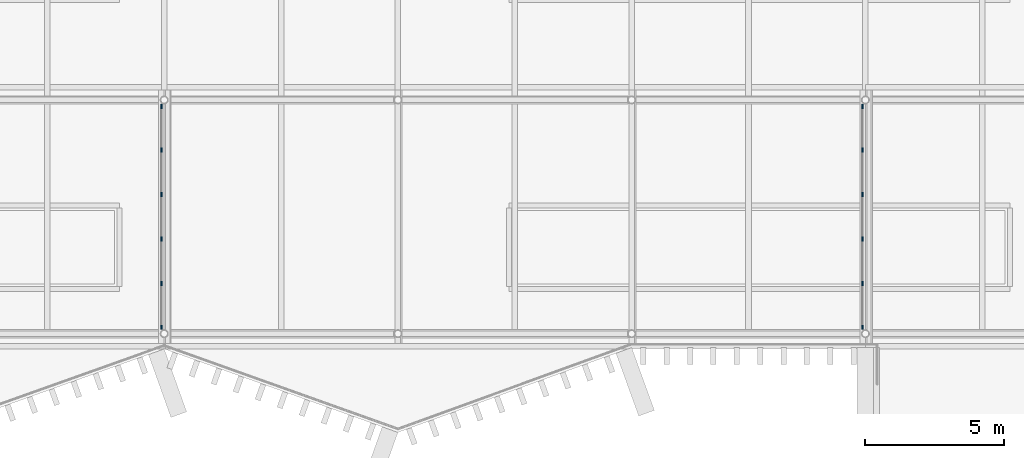
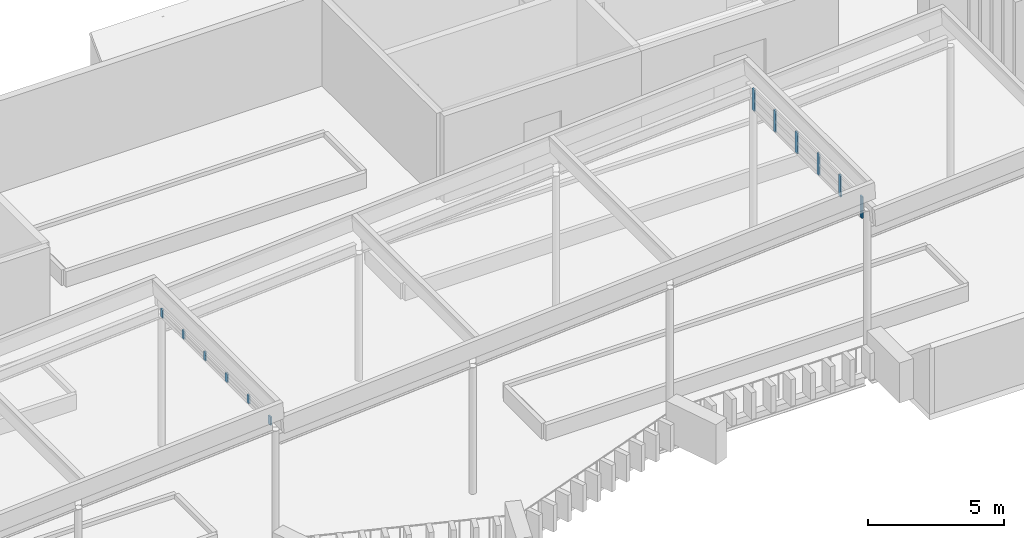
# One storey, part 26 of 51: 12 members, 2 elements without a shape of their own.
"""IFC4 building model written with IfcOpenShell, lengths in metres."""

from ifc_helpers import new_model, si_unit, direction, frame, origin, origin_2d, place, context, subcontext, project, spatial, rectangle, extrude, material, layer, layer_set, material_profile, profile_set, type_object, element, aggregate, save


model = new_model("IFC4")

# Units and contexts
model_context = context("Model", 3, precision=1e-05, world=origin(), true_north=direction((0.0, 1.0)))
body_context = subcontext(model_context, "Body", "Model", "MODEL_VIEW")
ifc_project = project(units=[si_unit("LENGTHUNIT", "METRE"), si_unit("AREAUNIT", "SQUARE_METRE"), si_unit("VOLUMEUNIT", "CUBIC_METRE"), si_unit("PLANEANGLEUNIT", "RADIAN"), si_unit("MASSUNIT", "GRAM", prefix="KILO")], contexts=[model_context])

# Site, building, storey
site_placement = place(None, origin())
site = spatial("IfcSite", under=ifc_project, at=site_placement, CompositionType="ELEMENT")
building_placement = place(site_placement, origin())
building = spatial("IfcBuilding", under=site, at=building_placement, Name="Cresset Court Congress Hotel", CompositionType="ELEMENT")
storey_placement = place(building_placement, frame((0.0, 0.0, 18.60009765625)))
storey = spatial("IfcBuildingStorey", under=building, at=storey_placement, Name="L04", CompositionType="ELEMENT", Elevation=18.60009765625)

# Curtain wall, members
ifc_material_1 = material(Name="Aluminium frame with double glazing", Category="aluminium")
ifc_layer = layer(ifc_material_1, 0.199951171875)
ifc_layer_set = layer_set([ifc_layer], Name="Glazed box curtain wall 1680 module")
curtain_wall_type = type_object("IfcCurtainWallType", Name="Glazed box curtain wall 1680 module", PredefinedType="NOTDEFINED", material=ifc_layer_set)
curtain_wall_1_placement = place(storey_placement, origin())
curtain_wall_1 = element("IfcCurtainWall", 1, at=curtain_wall_1_placement, inside=storey, type_object=curtain_wall_type, Name="Roof light face 4", PredefinedType="NOTDEFINED")
ifc_material_2 = material(Name="Aluminium", Category="aluminium")
ifc_material_profile = material_profile(ifc_material_2, rectangle(XDim=0.06005859375, YDim=0.159912109375, at=origin_2d()), Name="Box mullion 60x160")
ifc_profile_set = profile_set([ifc_material_profile], Name="Aluminium")
member_type = type_object("IfcMemberType", Name="Box mullion 60x160", PredefinedType="MULLION", material=ifc_profile_set)
member_1_placement = place(storey_placement, frame((117.5, 0.22998046875, 5.89990234375), z_axis=(0.0, 0.0, 1.0), x_axis=(-1.0, 0.0, 0.0)))
member_1 = element("IfcMember", 2, at=member_1_placement, type_object=member_type, Name="B-X1 mullion 1", PredefinedType="MULLION", context=body_context, shape_type="SweptSolid", body=[
    extrude(rectangle(XDim=0.06005859375, YDim=0.159912109375, at=origin_2d()), origin(), (0.0, 0.0, 1.0), 0.3759765625),
])
member_2_placement = place(storey_placement, frame((117.5, 1.800048828125, 5.89990234375), z_axis=(0.0, 0.0, 1.0), x_axis=(-1.0, 0.0, 0.0)))
member_2 = element("IfcMember", 3, at=member_2_placement, type_object=member_type, Name="B-X1 mullion 2", PredefinedType="MULLION", context=body_context, shape_type="SweptSolid", body=[
    extrude(rectangle(XDim=0.06005859375, YDim=0.159912109375, at=origin_2d()), origin(), (0.0, 0.0, 1.0), 0.3759765625),
])
member_3_placement = place(storey_placement, frame((117.5, 3.39990234375, 5.89990234375), z_axis=(0.0, 0.0, 1.0), x_axis=(-1.0, 0.0, 0.0)))
member_3 = element("IfcMember", 4, at=member_3_placement, type_object=member_type, Name="B-X1 mullion 3", PredefinedType="MULLION", context=body_context, shape_type="SweptSolid", body=[
    extrude(rectangle(XDim=0.06005859375, YDim=0.159912109375, at=origin_2d()), origin(), (0.0, 0.0, 1.0), 0.3759765625),
])
member_4_placement = place(storey_placement, frame((117.5, 5.0, 5.89990234375), z_axis=(0.0, 0.0, 1.0), x_axis=(-1.0, 0.0, 0.0)))
member_4 = element("IfcMember", 5, at=member_4_placement, type_object=member_type, Name="B-X1 mullion 4", PredefinedType="MULLION", context=body_context, shape_type="SweptSolid", body=[
    extrude(rectangle(XDim=0.06005859375, YDim=0.159912109375, at=origin_2d()), origin(), (0.0, 0.0, 1.0), 0.3759765625),
])
member_5_placement = place(storey_placement, frame((117.5, 6.60009765625, 5.89990234375), z_axis=(0.0, 0.0, 1.0), x_axis=(-1.0, 0.0, 0.0)))
member_5 = element("IfcMember", 6, at=member_5_placement, type_object=member_type, Name="B-X1 mullion 5", PredefinedType="MULLION", context=body_context, shape_type="SweptSolid", body=[
    extrude(rectangle(XDim=0.06005859375, YDim=0.159912109375, at=origin_2d()), origin(), (0.0, 0.0, 1.0), 0.3759765625),
])
member_6_placement = place(storey_placement, frame((117.5, 8.169921875, 5.89990234375), z_axis=(0.0, 0.0, 1.0), x_axis=(-1.0, 0.0, 0.0)))
member_6 = element("IfcMember", 7, at=member_6_placement, type_object=member_type, Name="B-X1 mullion 6", PredefinedType="MULLION", context=body_context, shape_type="SweptSolid", body=[
    extrude(rectangle(XDim=0.06005859375, YDim=0.159912109375, at=origin_2d()), origin(), (0.0, 0.0, 1.0), 0.3759765625),
])
aggregate(curtain_wall_1, [member_1, member_2, member_3, member_4, member_5, member_6])

curtain_wall_2_placement = place(storey_placement, origin())
curtain_wall_2 = element("IfcCurtainWall", 8, at=curtain_wall_2_placement, inside=storey, type_object=curtain_wall_type, Name="Roof light face 5", PredefinedType="NOTDEFINED")
member_7_placement = place(storey_placement, frame((142.699951171875, 0.22998046875, 6.39990234375), z_axis=(0.0, 0.0, 1.0), x_axis=(-1.0, 0.0, 0.0)))
member_7 = element("IfcMember", 9, at=member_7_placement, type_object=member_type, Name="B-X1 mullion 1", PredefinedType="MULLION", context=body_context, shape_type="SweptSolid", body=[
    extrude(rectangle(XDim=0.06005859375, YDim=0.159912109375, at=origin_2d()), origin(), (0.0, 0.0, 1.0), 0.964111328125),
])
member_8_placement = place(storey_placement, frame((142.699951171875, 1.800048828125, 6.39990234375), z_axis=(0.0, 0.0, 1.0), x_axis=(-1.0, 0.0, 0.0)))
member_8 = element("IfcMember", 10, at=member_8_placement, type_object=member_type, Name="B-X1 mullion 2", PredefinedType="MULLION", context=body_context, shape_type="SweptSolid", body=[
    extrude(rectangle(XDim=0.06005859375, YDim=0.159912109375, at=origin_2d()), origin(), (0.0, 0.0, 1.0), 0.964111328125),
])
member_9_placement = place(storey_placement, frame((142.699951171875, 3.39990234375, 6.39990234375), z_axis=(0.0, 0.0, 1.0), x_axis=(-1.0, 0.0, 0.0)))
member_9 = element("IfcMember", 11, at=member_9_placement, type_object=member_type, Name="B-X1 mullion 3", PredefinedType="MULLION", context=body_context, shape_type="SweptSolid", body=[
    extrude(rectangle(XDim=0.06005859375, YDim=0.159912109375, at=origin_2d()), origin(), (0.0, 0.0, 1.0), 0.964111328125),
])
member_10_placement = place(storey_placement, frame((142.699951171875, 5.0, 6.39990234375), z_axis=(0.0, 0.0, 1.0), x_axis=(-1.0, 0.0, 0.0)))
member_10 = element("IfcMember", 12, at=member_10_placement, type_object=member_type, Name="B-X1 mullion 4", PredefinedType="MULLION", context=body_context, shape_type="SweptSolid", body=[
    extrude(rectangle(XDim=0.06005859375, YDim=0.159912109375, at=origin_2d()), origin(), (0.0, 0.0, 1.0), 0.964111328125),
])
member_11_placement = place(storey_placement, frame((142.699951171875, 6.60009765625, 6.39990234375), z_axis=(0.0, 0.0, 1.0), x_axis=(-1.0, 0.0, 0.0)))
member_11 = element("IfcMember", 13, at=member_11_placement, type_object=member_type, Name="B-X1 mullion 5", PredefinedType="MULLION", context=body_context, shape_type="SweptSolid", body=[
    extrude(rectangle(XDim=0.06005859375, YDim=0.159912109375, at=origin_2d()), origin(), (0.0, 0.0, 1.0), 0.964111328125),
])
member_12_placement = place(storey_placement, frame((142.699951171875, 8.169921875, 6.39990234375), z_axis=(0.0, 0.0, 1.0), x_axis=(-1.0, 0.0, 0.0)))
member_12 = element("IfcMember", 14, at=member_12_placement, type_object=member_type, Name="B-X1 mullion 6", PredefinedType="MULLION", context=body_context, shape_type="SweptSolid", body=[
    extrude(rectangle(XDim=0.06005859375, YDim=0.159912109375, at=origin_2d()), origin(), (0.0, 0.0, 1.0), 0.964111328125),
])
aggregate(curtain_wall_2, [member_7, member_8, member_9, member_10, member_11, member_12])

save(model, "model.ifc")
